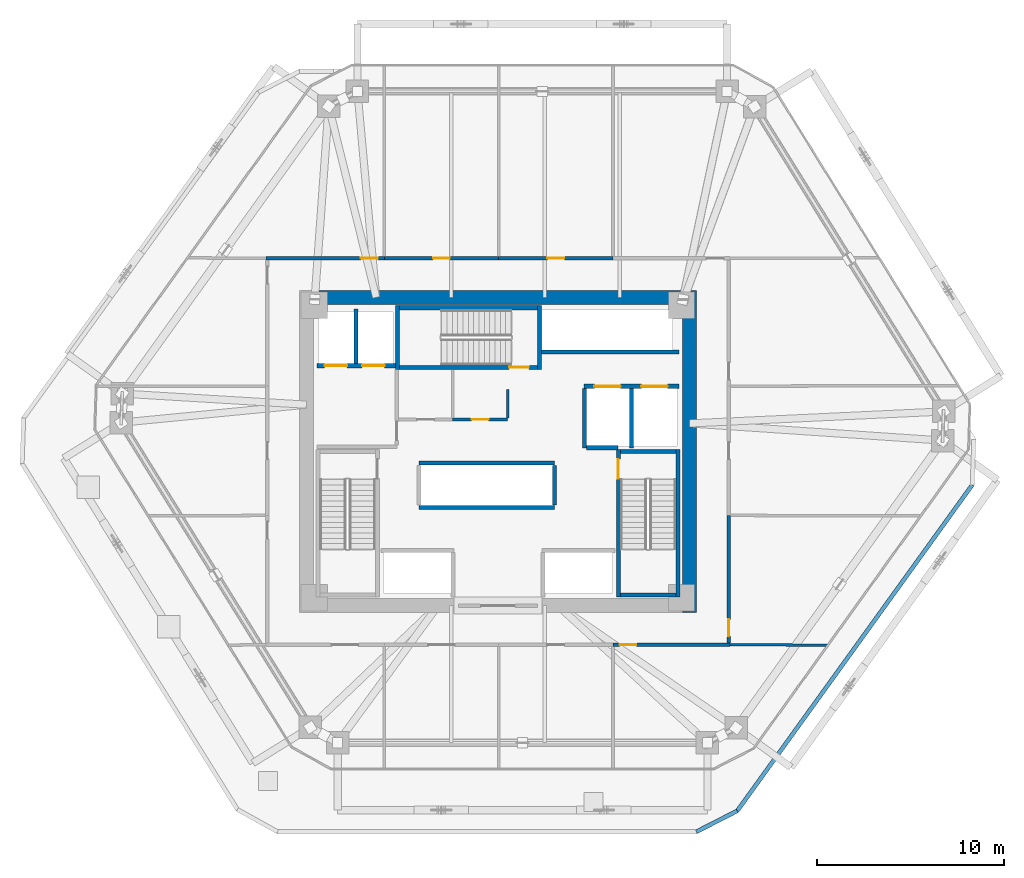
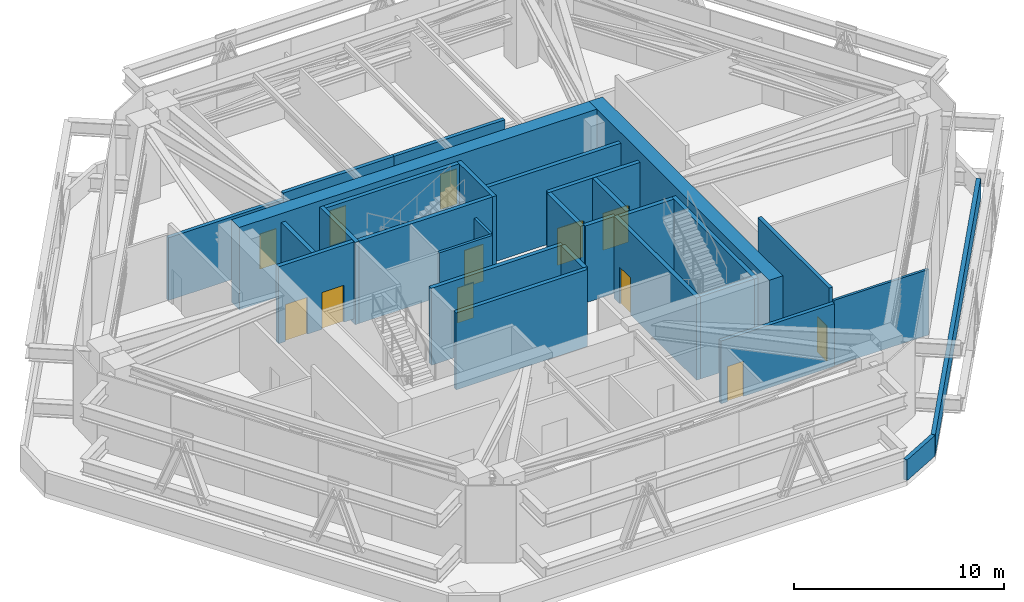
# One storey, part 8 of 10: 30 walls, 12 doors, 12 openings.
"""IFC4 building model written with IfcOpenShell, lengths in metres."""

from ifc_helpers import new_model, si_unit, direction, frame, frame_2d, origin, place, context, subcontext, project, spatial, rectangle, extrude, source, transform, mapped, material, layer, layer_set, type_object, type_shapes, element, fill, save


model = new_model("IFC4")

# Units and contexts
model_context = context("Model", 3, precision=1e-05, world=origin(), true_north=direction((0.0, 1.0)))
body_context = subcontext(model_context, "Body", "Model", "MODEL_VIEW")
ifc_project = project(units=[si_unit("LENGTHUNIT", "METRE"), si_unit("AREAUNIT", "SQUARE_METRE"), si_unit("VOLUMEUNIT", "CUBIC_METRE"), si_unit("PLANEANGLEUNIT", "RADIAN"), si_unit("MASSUNIT", "GRAM", prefix="KILO")], contexts=[model_context])

# Site, building, storey
site_placement = place(None, origin())
site = spatial("IfcSite", under=ifc_project, at=site_placement, CompositionType="ELEMENT")
building_placement = place(site_placement, origin())
building = spatial("IfcBuilding", under=site, at=building_placement, Name="Durnholm Broadcast Tower", CompositionType="ELEMENT")
storey_placement = place(building_placement, frame((0.0, 0.0, 88.5)))
storey = spatial("IfcBuildingStorey", under=building, at=storey_placement, Name="L23", CompositionType="ELEMENT", Elevation=88.5)

# Walls
ifc_material_1 = material(Name="Concrete C70/85", Category="concrete")
ifc_layer_1 = layer(ifc_material_1, 0.75)
ifc_layer_set_1 = layer_set([ifc_layer_1], Name="Concrete C70/85")
wall_type_1 = type_object("IfcWallType", Name="WALL-CW-750", PredefinedType="SHEAR", material=ifc_layer_set_1)
wall_1_placement = place(storey_placement, frame((10.22509765625, -8.60009765625, 0.0), z_axis=(0.0, 0.0, 1.0), x_axis=(0.0, 1.0, 0.0)))
element("IfcWall", 1, at=wall_1_placement, inside=storey, type_object=wall_type_1, Name="L23 central core shear wall CW-EAST", PredefinedType="SHEAR", context=body_context, shape_type="SweptSolid", body=[
    extrude(rectangle(XDim=17.2001953125, YDim=0.75, at=frame_2d((8.60009765625, 0.0))), origin(), (0.0, 0.0, 1.0), 4.800048828125),
])
wall_2_placement = place(storey_placement, frame((-9.85009765625, 8.22509765625, 0.0), z_axis=(0.0, 0.0, 1.0), x_axis=(1.0, 0.0, 0.0)))
element("IfcWall", 2, at=wall_2_placement, inside=storey, type_object=wall_type_1, Name="L23 central core shear wall CW-N", PredefinedType="SHEAR", context=body_context, shape_type="SweptSolid", body=[
    extrude(rectangle(XDim=19.7001953125, YDim=0.75, at=frame_2d((9.85009765625, 0.0))), origin(), (0.0, 0.0, 1.0), 4.800048828125),
])

# Wall, opening, door
ifc_material_2 = material(Name="Fire-Rated Gypsum Shaftwall", Category="concrete")
ifc_layer_2 = layer(ifc_material_2, 0.199951171875)
ifc_layer_set_2 = layer_set([ifc_layer_2], Name="Fire-Rated Gypsum Shaftwall")
wall_type_2 = type_object("IfcWallType", Name="WALL-LOB-200", PredefinedType="SOLIDWALL", material=ifc_layer_set_2)
wall_3_placement = place(storey_placement, frame((-6.06005859375, 10.31005859375, 0.0), z_axis=(0.0, 0.0, 1.0), x_axis=(-1.0, 0.0, 0.0)))
wall_3 = element("IfcWall", 3, at=wall_3_placement, inside=storey, type_object=wall_type_2, Name="L23 Mechanical Plant Room - Chilled Water Heat Exchanger corridor partition", PredefinedType="SOLIDWALL", context=body_context, shape_type="SweptSolid", body=[
    extrude(rectangle(XDim=6.329833984375, YDim=0.199951171875, at=frame_2d((3.1650390625, 0.0))), origin(), (0.0, 0.0, 1.0), 3.652099609375),
])
opening_1_placement = place(wall_3_placement, frame((0.35009765625, 0.0, 0.0)))
opening_1 = element("IfcOpeningElement", 4, at=opening_1_placement, cuts=wall_3, Name="Opening DC-60R", PredefinedType="OPENING", context=body_context, shape_type="SweptSolid", body=[
    extrude(rectangle(XDim=0.89990234375, YDim=2.050048828125, at=frame_2d((0.449951171875, 1.02490234375))), frame((0.0, 0.10986328125, 0.0), z_axis=(0.0, -1.0, 0.0), x_axis=(1.0, 0.0, 0.0)), (0.0, 0.0, 1.0), 0.219970703125),
])
ifc_material_3 = material(Name="Fire-Rated Core Service Door", Category="steel")
ifc_layer_3 = layer(ifc_material_3, 0.050048828125)
ifc_layer_set_3 = layer_set([ifc_layer_3], Name="Fire-Rated Core Service Door")
door_type_1 = type_object("IfcDoorType", Name="DOOR-CORE-FD60-R", OperationType="NOTDEFINED", PredefinedType="DOOR", material=ifc_layer_set_3)
shared_shape_1 = source(origin(), body_context, "Body", "SweptSolid", [
    extrude(rectangle(XDim=0.89990234375, YDim=2.050048828125, at=frame_2d((0.449951171875, 1.02490234375))), frame((0.0, 0.02490234375, 0.0), z_axis=(0.0, -1.0, 0.0), x_axis=(1.0, 0.0, 0.0)), (0.0, 0.0, 1.0), 0.050048828125),
])
type_shapes(door_type_1, [shared_shape_1])
door_1_placement = place(opening_1_placement, origin())
door_1 = element("IfcDoor", 5, at=door_1_placement, inside=storey, type_object=door_type_1, Name="L23 Mechanical Plant Room - Chilled Water Heat Exchanger entrance door", OperationType="SINGLE_SWING_RIGHT", OverallHeight=2.050048828125, OverallWidth=0.89990234375, PredefinedType="DOOR", context=body_context, shape_type="MappedRepresentation", body=[
    mapped(shared_shape_1, transform((0.0, 0.0, 0.0), x_axis=(1.0, 0.0, 0.0), y_axis=(0.0, 1.0, 0.0), z_axis=(0.0, 0.0, 1.0), scale=1.0)),
])
fill(opening_1, door_1)

wall_4_placement = place(storey_placement, frame((0.0400390625, 10.31005859375, 0.0), z_axis=(0.0, 0.0, 1.0), x_axis=(-1.0, 0.0, 0.0)))
wall_4 = element("IfcWall", 6, at=wall_4_placement, inside=storey, type_object=wall_type_2, Name="L23 Mechanical Plant Room - Dedicated Outdoor Air Handling corridor partition", PredefinedType="SOLIDWALL", context=body_context, shape_type="SweptSolid", body=[
    extrude(rectangle(XDim=6.10009765625, YDim=0.199951171875, at=frame_2d((3.050048828125, 0.0))), origin(), (0.0, 0.0, 1.0), 4.048095703125),
])
opening_2_placement = place(wall_4_placement, frame((2.60009765625, 0.0, 0.0)))
opening_2 = element("IfcOpeningElement", 7, at=opening_2_placement, cuts=wall_4, Name="Opening DC-60L", PredefinedType="OPENING", context=body_context, shape_type="SweptSolid", body=[
    extrude(rectangle(XDim=0.89990234375, YDim=2.050048828125, at=frame_2d((0.449951171875, 1.02490234375))), frame((0.0, 0.10986328125, 0.0), z_axis=(0.0, -1.0, 0.0), x_axis=(1.0, 0.0, 0.0)), (0.0, 0.0, 1.0), 0.219970703125),
])
ifc_layer_4 = layer(ifc_material_3, 0.050048828125)
ifc_layer_set_4 = layer_set([ifc_layer_4], Name="Fire-Rated Core Service Door")
door_type_2 = type_object("IfcDoorType", Name="DOOR-CORE-FD60-L", OperationType="NOTDEFINED", PredefinedType="DOOR", material=ifc_layer_set_4)
shared_shape_2 = source(origin(), body_context, "Body", "SweptSolid", [
    extrude(rectangle(XDim=0.89990234375, YDim=2.050048828125, at=frame_2d((0.449951171875, 1.02490234375))), frame((0.0, 0.02490234375, 0.0), z_axis=(0.0, -1.0, 0.0), x_axis=(1.0, 0.0, 0.0)), (0.0, 0.0, 1.0), 0.050048828125),
])
type_shapes(door_type_2, [shared_shape_2])
door_2_placement = place(opening_2_placement, origin())
door_2 = element("IfcDoor", 8, at=door_2_placement, inside=storey, type_object=door_type_2, Name="L23 Mechanical Plant Room - Dedicated Outdoor Air Handling entrance door", OperationType="SINGLE_SWING_LEFT", OverallHeight=2.050048828125, OverallWidth=0.89990234375, PredefinedType="DOOR", context=body_context, shape_type="MappedRepresentation", body=[
    mapped(shared_shape_2, transform((0.0, 0.0, 0.0), x_axis=(1.0, 0.0, 0.0), y_axis=(0.0, 1.0, 0.0), z_axis=(0.0, 0.0, 1.0), scale=1.0)),
])
fill(opening_2, door_2)

wall_5_placement = place(storey_placement, frame((6.139892578125, 10.31005859375, 0.0), z_axis=(0.0, 0.0, 1.0), x_axis=(-1.0, 0.0, 0.0)))
wall_5 = element("IfcWall", 9, at=wall_5_placement, inside=storey, type_object=wall_type_2, Name="L23 Mechanical Plant Room - Condenser Water Pump Station corridor partition", PredefinedType="SOLIDWALL", context=body_context, shape_type="SweptSolid", body=[
    extrude(rectangle(XDim=6.099853515625, YDim=0.199951171875, at=frame_2d((3.0498046875, 0.0))), origin(), (0.0, 0.0, 1.0), 4.048095703125),
])
opening_3_placement = place(wall_5_placement, frame((2.60009765625, 0.0, 0.0)))
opening_3 = element("IfcOpeningElement", 10, at=opening_3_placement, cuts=wall_5, Name="Opening DC-60R", PredefinedType="OPENING", context=body_context, shape_type="SweptSolid", body=[
    extrude(rectangle(XDim=0.89990234375, YDim=2.050048828125, at=frame_2d((0.449951171875, 1.02490234375))), frame((0.0, 0.10986328125, 0.0), z_axis=(0.0, -1.0, 0.0), x_axis=(1.0, 0.0, 0.0)), (0.0, 0.0, 1.0), 0.219970703125),
])
door_3_placement = place(opening_3_placement, origin())
door_3 = element("IfcDoor", 11, at=door_3_placement, inside=storey, type_object=door_type_1, Name="L23 Mechanical Plant Room - Condenser Water Pump Station entrance door", OperationType="SINGLE_SWING_RIGHT", OverallHeight=2.050048828125, OverallWidth=0.89990234375, PredefinedType="DOOR", context=body_context, shape_type="MappedRepresentation", body=[
    mapped(shared_shape_1, transform((0.0, 0.0, 0.0), x_axis=(1.0, 0.0, 0.0), y_axis=(0.0, 1.0, 0.0), z_axis=(0.0, 0.0, 1.0), scale=1.0)),
])
fill(opening_3, door_3)

wall_6_placement = place(storey_placement, frame((6.139892578125, -10.31005859375, 0.0), z_axis=(0.0, 0.0, 1.0), x_axis=(1.0, 0.0, 0.0)))
wall_6 = element("IfcWall", 12, at=wall_6_placement, inside=storey, type_object=wall_type_2, Name="L23 Mechanical Plant Room - Fire Protection Pump Plant corridor partition", PredefinedType="SOLIDWALL", context=body_context, shape_type="SweptSolid", body=[
    extrude(rectangle(XDim=6.25, YDim=0.199951171875, at=frame_2d((3.125, 0.0))), origin(), (0.0, 0.0, 1.0), 3.652099609375),
])
opening_4_placement = place(wall_6_placement, frame((0.35009765625, 0.0, 0.0)))
opening_4 = element("IfcOpeningElement", 13, at=opening_4_placement, cuts=wall_6, Name="Opening DC-60L", PredefinedType="OPENING", context=body_context, shape_type="SweptSolid", body=[
    extrude(rectangle(XDim=0.89990234375, YDim=2.050048828125, at=frame_2d((0.449951171875, 1.02490234375))), frame((0.0, 0.10986328125, 0.0), z_axis=(0.0, -1.0, 0.0), x_axis=(1.0, 0.0, 0.0)), (0.0, 0.0, 1.0), 0.219970703125),
])
door_4_placement = place(opening_4_placement, origin())
door_4 = element("IfcDoor", 14, at=door_4_placement, inside=storey, type_object=door_type_2, Name="L23 Mechanical Plant Room - Fire Protection Pump Plant entrance door", OperationType="SINGLE_SWING_LEFT", OverallHeight=2.050048828125, OverallWidth=0.89990234375, PredefinedType="DOOR", context=body_context, shape_type="MappedRepresentation", body=[
    mapped(shared_shape_2, transform((0.0, 0.0, 0.0), x_axis=(1.0, 0.0, 0.0), y_axis=(0.0, 1.0, 0.0), z_axis=(0.0, 0.0, 1.0), scale=1.0)),
])
fill(opening_4, door_4)

wall_7_placement = place(storey_placement, frame((12.31005859375, -10.2060546875, 0.0), z_axis=(0.0, 0.0, 1.0), x_axis=(0.0, 1.0, 0.0)))
wall_7 = element("IfcWall", 15, at=wall_7_placement, inside=storey, type_object=wall_type_2, Name="L23 Mechanical Plant Room - Electrical Switchgear East corridor partition", PredefinedType="SOLIDWALL", context=body_context, shape_type="SweptSolid", body=[
    extrude(rectangle(XDim=6.796142578125, YDim=0.199951171875, at=frame_2d((3.39794921875, 0.0))), origin(), (0.0, 0.0, 1.0), 4.485107421875),
])
opening_5_placement = place(wall_7_placement, frame((0.35009765625, 0.0, 0.0)))
opening_5 = element("IfcOpeningElement", 16, at=opening_5_placement, cuts=wall_7, Name="Opening DC-60R", PredefinedType="OPENING", context=body_context, shape_type="SweptSolid", body=[
    extrude(rectangle(XDim=0.89990234375, YDim=2.050048828125, at=frame_2d((0.449951171875, 1.02490234375))), frame((0.0, 0.10986328125, 0.0), z_axis=(0.0, -1.0, 0.0), x_axis=(1.0, 0.0, 0.0)), (0.0, 0.0, 1.0), 0.219970703125),
])
door_5_placement = place(opening_5_placement, origin())
door_5 = element("IfcDoor", 17, at=door_5_placement, inside=storey, type_object=door_type_1, Name="L23 Mechanical Plant Room - Electrical Switchgear East entrance door", OperationType="SINGLE_SWING_RIGHT", OverallHeight=2.050048828125, OverallWidth=0.89990234375, PredefinedType="DOOR", context=body_context, shape_type="MappedRepresentation", body=[
    mapped(shared_shape_1, transform((0.0, 0.0, 0.0), x_axis=(1.0, 0.0, 0.0), y_axis=(0.0, 1.0, 0.0), z_axis=(0.0, 0.0, 1.0), scale=1.0)),
])
fill(opening_5, door_5)

# Walls
ifc_material_4 = material(Name="Precast Concrete C40/50", Category="concrete")
ifc_layer_5 = layer(ifc_material_4, 0.219970703125)
ifc_layer_set_5 = layer_set([ifc_layer_5], Name="Precast Concrete C40/50")
wall_type_3 = type_object("IfcWallType", Name="WALL-PAR-220", PredefinedType="PARAPET", material=ifc_layer_set_5)
wall_8_placement = place(storey_placement, frame((25.31103515625, -1.783203125, 0.0), z_axis=(0.0, 0.0, 1.0), x_axis=(-0.584819348165, -0.81116356551, 0.0)))
element("IfcWall", 18, at=wall_8_placement, inside=storey, type_object=wall_type_3, Name="L23 setback roof perimeter parapet 02", PredefinedType="PARAPET", context=body_context, shape_type="SweptSolid", body=[
    extrude(rectangle(XDim=21.44091796875, YDim=0.219970703125, at=frame_2d((10.720458984375, 0.0))), origin(), (0.0, 0.0, 1.0), 1.199951171875),
])
wall_9_placement = place(storey_placement, frame((12.77197265625, -19.17529296875, 0.0), z_axis=(0.0, 0.0, 1.0), x_axis=(-0.890197350178, -0.455575106581, 0.0)))
element("IfcWall", 19, at=wall_9_placement, inside=storey, type_object=wall_type_3, Name="L23 setback roof perimeter parapet 03", PredefinedType="PARAPET", context=body_context, shape_type="SweptSolid", body=[
    extrude(rectangle(XDim=2.44677734375, YDim=0.219970703125, at=frame_2d((1.223388671875, 0.0))), origin(), (0.0, 0.0, 1.0), 1.199951171875),
])
ifc_material_5 = material(Name="Gypsum Metal Stud Partition", Category="concrete")
ifc_layer_6 = layer(ifc_material_5, 0.135009765625)
ifc_layer_set_6 = layer_set([ifc_layer_6], Name="Gypsum Metal Stud Partition")
wall_type_4 = type_object("IfcWallType", Name="WALL-PART-135", PredefinedType="PARTITIONING", material=ifc_layer_set_6)
wall_10_placement = place(storey_placement, frame((12.389892578125, -10.310302734375, 0.0), z_axis=(0.0, 0.0, 1.0), x_axis=(0.999990324999, -0.004398853037, 0.0)))
element("IfcWall", 20, at=wall_10_placement, inside=storey, type_object=wall_type_4, Name="L23 room dividing partition 10.11", PredefinedType="PARTITIONING", context=body_context, shape_type="SweptSolid", body=[
    extrude(rectangle(XDim=5.217041015625, YDim=0.135009765625, at=frame_2d((2.6083984375, 0.0))), origin(), (0.0, 0.0, 1.0), 3.820068359375),
])

# Wall, opening, door
ifc_material_6 = material(Name="Acoustic Gypsum Stud Partition", Category="concrete")
ifc_layer_7 = layer(ifc_material_6, 0.14990234375)
ifc_layer_set_7 = layer_set([ifc_layer_7], Name="Acoustic Gypsum Stud Partition")
wall_type_5 = type_object("IfcWallType", Name="WALL-PART-150", PredefinedType="PARTITIONING", material=ifc_layer_set_7)
wall_11_placement = place(storey_placement, frame((0.52001953125, 1.7099609375, 0.0), z_axis=(0.0, 0.0, 1.0), x_axis=(-1.0, 0.0, 0.0)))
wall_11 = element("IfcWall", 21, at=wall_11_placement, inside=storey, type_object=wall_type_5, Name="L23 Core Mail and Supply Room corridor partition", PredefinedType="PARTITIONING", context=body_context, shape_type="SweptSolid", body=[
    extrude(rectangle(XDim=2.93994140625, YDim=0.14990234375, at=frame_2d((1.469970703125, 0.0))), origin(), (0.0, 0.0, 1.0), 4.485107421875),
])
opening_6_placement = place(wall_11_placement, frame((1.02001953125, 0.0, 0.0)))
opening_6 = element("IfcOpeningElement", 22, at=opening_6_placement, cuts=wall_11, Name="Opening DC-60L", PredefinedType="OPENING", context=body_context, shape_type="SweptSolid", body=[
    extrude(rectangle(XDim=0.89990234375, YDim=2.050048828125, at=frame_2d((0.449951171875, 1.02490234375))), frame((0.0, 0.0849609375, 0.0), z_axis=(0.0, -1.0, 0.0), x_axis=(1.0, 0.0, 0.0)), (0.0, 0.0, 1.0), 0.169921875),
])
door_6_placement = place(opening_6_placement, origin())
door_6 = element("IfcDoor", 23, at=door_6_placement, inside=storey, type_object=door_type_2, Name="L23 Core Mail and Supply Room entrance door", OperationType="SINGLE_SWING_LEFT", OverallHeight=2.050048828125, OverallWidth=0.89990234375, PredefinedType="DOOR", context=body_context, shape_type="MappedRepresentation", body=[
    mapped(shared_shape_2, transform((0.0, 0.0, 0.0), x_axis=(1.0, 0.0, 0.0), y_axis=(0.0, 1.0, 0.0), z_axis=(0.0, 0.0, 1.0), scale=1.0)),
])
fill(opening_6, door_6)

# Wall
wall_12_placement = place(storey_placement, frame((0.52001953125, 3.300048828125, 0.0), z_axis=(0.0, 0.0, 1.0), x_axis=(0.0, -1.0, 0.0)))
element("IfcWall", 24, at=wall_12_placement, inside=storey, type_object=wall_type_5, Name="L23 Core Mail and Supply Room corridor partition", PredefinedType="PARTITIONING", context=body_context, shape_type="SweptSolid", body=[
    extrude(rectangle(XDim=1.510986328125, YDim=0.14990234375, at=frame_2d((0.75537109375, 0.0))), origin(), (0.0, 0.0, 1.0), 4.485107421875),
])

# Wall, openings, doors
ifc_material_7 = material(Name="Concrete Blockwork C30/37", Category="masonry")
ifc_layer_8 = layer(ifc_material_7, 0.219970703125)
ifc_layer_set_8 = layer_set([ifc_layer_8], Name="Concrete Blockwork C30/37")
wall_type_6 = type_object("IfcWallType", Name="WALL-SHAFT-220", PredefinedType="SOLIDWALL", material=ifc_layer_set_8)
wall_13_placement = place(storey_placement, frame((-9.64990234375, 4.580078125, 0.0), z_axis=(0.0, 0.0, 1.0), x_axis=(1.0, 0.0, 0.0)))
wall_13 = element("IfcWall", 25, at=wall_13_placement, inside=storey, type_object=wall_type_6, Name="L23 FSAE hoistway front fire wall", PredefinedType="SOLIDWALL", context=body_context, shape_type="SweptSolid", body=[
    extrude(rectangle(XDim=4.1748046875, YDim=0.219970703125, at=frame_2d((2.08740234375, 0.0))), origin(), (0.0, 0.0, 1.0), 4.485107421875),
])
opening_7_placement = place(wall_13_placement, frame((0.39990234375, 0.0, 0.0)))
opening_7 = element("IfcOpeningElement", 26, at=opening_7_placement, cuts=wall_13, Name="Opening LD-FSAE-2", PredefinedType="OPENING", context=body_context, shape_type="SweptSolid", body=[
    extrude(rectangle(XDim=1.199951171875, YDim=2.14990234375, at=frame_2d((0.60009765625, 1.074951171875))), frame((0.0, 0.1201171875, 0.0), z_axis=(0.0, -1.0, 0.0), x_axis=(1.0, 0.0, 0.0)), (0.0, 0.0, 1.0), 0.239990234375),
])
opening_8_placement = place(wall_13_placement, frame((2.39990234375, 0.0, 0.0)))
opening_8 = element("IfcOpeningElement", 27, at=opening_8_placement, cuts=wall_13, Name="Opening LD-FSAE-1", PredefinedType="OPENING", context=body_context, shape_type="SweptSolid", body=[
    extrude(rectangle(XDim=1.199951171875, YDim=2.14990234375, at=frame_2d((0.60009765625, 1.074951171875))), frame((0.0, 0.1201171875, 0.0), z_axis=(0.0, -1.0, 0.0), x_axis=(1.0, 0.0, 0.0)), (0.0, 0.0, 1.0), 0.239990234375),
])
ifc_material_8 = material(Name="Fire Service Access Sliding Landing Door", Category="steel")
ifc_layer_9 = layer(ifc_material_8, 0.050048828125)
ifc_layer_set_9 = layer_set([ifc_layer_9], Name="Fire Service Access Sliding Landing Door")
door_type_3 = type_object("IfcDoorType", Name="DOOR-LIFT-FSAE", OperationType="DOUBLE_DOOR_SLIDING", PredefinedType="DOOR", material=ifc_layer_set_9)
shared_shape_3 = source(origin(), body_context, "Body", "SweptSolid", [
    extrude(rectangle(XDim=1.199951171875, YDim=2.14990234375, at=frame_2d((0.60009765625, 1.074951171875))), frame((0.0, 0.02490234375, 0.0), z_axis=(0.0, -1.0, 0.0), x_axis=(1.0, 0.0, 0.0)), (0.0, 0.0, 1.0), 0.050048828125),
])
type_shapes(door_type_3, [shared_shape_3])
door_7_placement = place(opening_7_placement, origin())
door_7 = element("IfcDoor", 28, at=door_7_placement, inside=storey, type_object=door_type_3, Name="L23 Fire Service Access Elevator FSAE-2 sliding landing door", OperationType="DOUBLE_DOOR_SLIDING", OverallHeight=2.14990234375, OverallWidth=1.199951171875, PredefinedType="DOOR", context=body_context, shape_type="MappedRepresentation", body=[
    mapped(shared_shape_3, transform((0.0, 0.0, 0.0), x_axis=(1.0, 0.0, 0.0), y_axis=(0.0, 1.0, 0.0), z_axis=(0.0, 0.0, 1.0), scale=1.0)),
])
fill(opening_7, door_7)
door_8_placement = place(opening_8_placement, origin())
door_8 = element("IfcDoor", 29, at=door_8_placement, inside=storey, type_object=door_type_3, Name="L23 Fire Service Access Elevator FSAE-1 sliding landing door", OperationType="DOUBLE_DOOR_SLIDING", OverallHeight=2.14990234375, OverallWidth=1.199951171875, PredefinedType="DOOR", context=body_context, shape_type="MappedRepresentation", body=[
    mapped(shared_shape_3, transform((0.0, 0.0, 0.0), x_axis=(1.0, 0.0, 0.0), y_axis=(0.0, 1.0, 0.0), z_axis=(0.0, 0.0, 1.0), scale=1.0)),
])
fill(opening_8, door_8)

# Wall
wall_14_placement = place(storey_placement, frame((-7.580078125, 4.694091796875, 0.0), z_axis=(0.0, 0.0, 1.0), x_axis=(0.0, 1.0, 0.0)))
element("IfcWall", 30, at=wall_14_placement, inside=storey, type_object=wall_type_6, Name="L23 FSAE shaft divider wall", PredefinedType="SOLIDWALL", context=body_context, shape_type="SweptSolid", body=[
    extrude(rectangle(XDim=2.906005859375, YDim=0.219970703125, at=frame_2d((1.453125, 0.0))), origin(), (0.0, 0.0, 1.0), 4.485107421875),
])

# Wall, openings, doors
wall_15_placement = place(storey_placement, frame((4.60009765625, 3.47998046875, 0.0), z_axis=(0.0, 0.0, 1.0), x_axis=(1.0, 0.0, 0.0)))
wall_15 = element("IfcWall", 31, at=wall_15_placement, inside=storey, type_object=wall_type_6, Name="L23 freight service lifts north front wall", PredefinedType="SOLIDWALL", context=body_context, shape_type="SweptSolid", body=[
    extrude(rectangle(XDim=5.0498046875, YDim=0.219970703125, at=frame_2d((2.52490234375, 0.0))), origin(), (0.0, 0.0, 1.0), 4.485107421875),
])
opening_9_placement = place(wall_15_placement, frame((0.550048828125, 0.0, 0.0)))
opening_9 = element("IfcOpeningElement", 32, at=opening_9_placement, cuts=wall_15, Name="Opening LD-SVL-2", PredefinedType="OPENING", context=body_context, shape_type="SweptSolid", body=[
    extrude(rectangle(XDim=1.39990234375, YDim=2.14990234375, at=frame_2d((0.699951171875, 1.074951171875))), frame((0.0, 0.1201171875, 0.0), z_axis=(0.0, -1.0, 0.0), x_axis=(1.0, 0.0, 0.0)), (0.0, 0.0, 1.0), 0.239990234375),
])
opening_10_placement = place(wall_15_placement, frame((3.050048828125, 0.0, 0.0)))
opening_10 = element("IfcOpeningElement", 33, at=opening_10_placement, cuts=wall_15, Name="Opening LD-SVL-1", PredefinedType="OPENING", context=body_context, shape_type="SweptSolid", body=[
    extrude(rectangle(XDim=1.39990234375, YDim=2.14990234375, at=frame_2d((0.699951171875, 1.074951171875))), frame((0.0, 0.1201171875, 0.0), z_axis=(0.0, -1.0, 0.0), x_axis=(1.0, 0.0, 0.0)), (0.0, 0.0, 1.0), 0.239990234375),
])
ifc_material_9 = material(Name="Freight Elevator Bi-Parting Sliding Landing Door", Category="steel")
ifc_layer_10 = layer(ifc_material_9, 0.050048828125)
ifc_layer_set_10 = layer_set([ifc_layer_10], Name="Freight Elevator Bi-Parting Sliding Landing Door")
door_type_4 = type_object("IfcDoorType", Name="DOOR-LIFT-SVL", OperationType="DOUBLE_DOOR_SLIDING", PredefinedType="DOOR", material=ifc_layer_set_10)
shared_shape_4 = source(origin(), body_context, "Body", "SweptSolid", [
    extrude(rectangle(XDim=1.39990234375, YDim=2.14990234375, at=frame_2d((0.699951171875, 1.074951171875))), frame((0.0, 0.02490234375, 0.0), z_axis=(0.0, -1.0, 0.0), x_axis=(1.0, 0.0, 0.0)), (0.0, 0.0, 1.0), 0.050048828125),
])
type_shapes(door_type_4, [shared_shape_4])
door_9_placement = place(opening_9_placement, origin())
door_9 = element("IfcDoor", 34, at=door_9_placement, inside=storey, type_object=door_type_4, Name="L23 freight service elevator SVL-2 sliding landing door", OperationType="DOUBLE_DOOR_SLIDING", OverallHeight=2.14990234375, OverallWidth=1.39990234375, PredefinedType="DOOR", context=body_context, shape_type="MappedRepresentation", body=[
    mapped(shared_shape_4, transform((0.0, 0.0, 0.0), x_axis=(1.0, 0.0, 0.0), y_axis=(0.0, 1.0, 0.0), z_axis=(0.0, 0.0, 1.0), scale=1.0)),
])
fill(opening_9, door_9)
door_10_placement = place(opening_10_placement, origin())
door_10 = element("IfcDoor", 35, at=door_10_placement, inside=storey, type_object=door_type_4, Name="L23 freight service elevator SVL-1 sliding landing door", OperationType="DOUBLE_DOOR_SLIDING", OverallHeight=2.14990234375, OverallWidth=1.39990234375, PredefinedType="DOOR", context=body_context, shape_type="MappedRepresentation", body=[
    mapped(shared_shape_4, transform((0.0, 0.0, 0.0), x_axis=(1.0, 0.0, 0.0), y_axis=(0.0, 1.0, 0.0), z_axis=(0.0, 0.0, 1.0), scale=1.0)),
])
fill(opening_10, door_10)

# Walls
for number, where, z_axis, x_axis, name in (
    (36, (4.6201171875, 0.179931640625, 0.0), (0.0, 0.0, 1.0), (0.0, 1.0, 0.0), "L23 freight service lift SVL-2 west wall"),
    (37, (7.1201171875, 0.179931640625, 0.0), (0.0, 0.0, 1.0), (0.0, 1.0, 0.0), "L23 freight service lifts divider wall"),
):
    element("IfcWall", number, at=place(storey_placement, frame(where, z_axis=z_axis, x_axis=x_axis)), inside=storey, type_object=wall_type_6, Name=name, PredefinedType="SOLIDWALL", context=body_context, shape_type="SweptSolid", body=[
        extrude(rectangle(XDim=3.18603515625, YDim=0.219970703125, at=frame_2d((1.593017578125, 0.0))), origin(), (0.0, 0.0, 1.0), 4.485107421875),
    ])
wall_16_placement = place(storey_placement, frame((4.73388671875, 0.199951171875, 0.0), z_axis=(0.0, 0.0, 1.0), x_axis=(1.0, 0.0, 0.0)))
element("IfcWall", 38, at=wall_16_placement, inside=storey, type_object=wall_type_6, Name="L23 freight service lift SVL-2 south wall", PredefinedType="SOLIDWALL", context=body_context, shape_type="SweptSolid", body=[
    extrude(rectangle(XDim=1.666015625, YDim=0.219970703125, at=frame_2d((0.8330078125, 0.0))), origin(), (0.0, 0.0, 1.0), 4.485107421875),
])
for number, where, z_axis, x_axis, name in (
    (39, (-4.219970703125, -2.97998046875, 0.0), (0.0, 0.0, 1.0), (1.0, 0.0, 0.0), "L23 mid-rise bank P2 south front wall"),
    (40, (-4.219970703125, -0.6201171875, 0.0), (0.0, 0.0, 1.0), (1.0, 0.0, 0.0), "L23 mid-rise bank P2 north shaft wall"),
):
    element("IfcWall", number, at=place(storey_placement, frame(where, z_axis=z_axis, x_axis=x_axis)), inside=storey, type_object=wall_type_6, Name=name, PredefinedType="SOLIDWALL", context=body_context, shape_type="SweptSolid", body=[
        extrude(rectangle(XDim=7.239990234375, YDim=0.219970703125, at=frame_2d((3.6201171875, 0.0))), origin(), (0.0, 0.0, 1.0), 4.485107421875),
    ])
wall_17_placement = place(storey_placement, frame((3.02001953125, -2.865966796875, 0.0), z_axis=(0.0, 0.0, 1.0), x_axis=(0.0, 1.0, 0.0)))
element("IfcWall", 41, at=wall_17_placement, inside=storey, type_object=wall_type_6, Name="L23 mid-rise bank P2 east shaft wall", PredefinedType="SOLIDWALL", context=body_context, shape_type="SweptSolid", body=[
    extrude(rectangle(XDim=2.132080078125, YDim=0.219970703125, at=frame_2d((1.06591796875, 0.0))), origin(), (0.0, 0.0, 1.0), 4.485107421875),
])
wall_18_placement = place(storey_placement, frame((2.324951171875, 5.320068359375, 0.0), z_axis=(0.0, 0.0, 1.0), x_axis=(1.0, 0.0, 0.0)))
element("IfcWall", 42, at=wall_18_placement, inside=storey, type_object=wall_type_6, Name="L23 high-rise bank P3 south front wall", PredefinedType="SOLIDWALL", context=body_context, shape_type="SweptSolid", body=[
    extrude(rectangle(XDim=7.324951171875, YDim=0.219970703125, at=frame_2d((3.66259765625, 0.0))), origin(), (0.0, 0.0, 1.0), 4.485107421875),
])
ifc_material_10 = material(Name="Concrete C50/60", Category="concrete")
ifc_layer_11 = layer(ifc_material_10, 0.219970703125)
ifc_layer_set_11 = layer_set([ifc_layer_11], Name="Concrete C50/60")
wall_type_7 = type_object("IfcWallType", Name="WALL-SW-220", PredefinedType="SHEAR", material=ifc_layer_set_11)
wall_19_placement = place(storey_placement, frame((9.610107421875, -7.77001953125, -0.300048828125), z_axis=(0.0, 0.0, 1.0), x_axis=(0.0, 1.0, 0.0)))
element("IfcWall", 43, at=wall_19_placement, inside=storey, type_object=wall_type_7, Name="L23 stair ST-2 structural shaft wall E", PredefinedType="SHEAR", context=body_context, shape_type="SweptSolid", body=[
    extrude(rectangle(XDim=7.89013671875, YDim=0.219970703125, at=frame_2d((3.945068359375, 0.0))), origin(), (0.0, 0.0, 1.0), 4.800048828125),
])

# Wall, opening, door
wall_20_placement = place(storey_placement, frame((6.429931640625, 0.1201171875, -0.300048828125), z_axis=(0.0, 0.0, 1.0), x_axis=(0.0, -1.0, 0.0)))
wall_20 = element("IfcWall", 44, at=wall_20_placement, inside=storey, type_object=wall_type_7, Name="L23 stair ST-2 structural shaft wall W", PredefinedType="SHEAR", context=body_context, shape_type="SweptSolid", body=[
    extrude(rectangle(XDim=7.89013671875, YDim=0.219970703125, at=frame_2d((3.945068359375, 0.0))), origin(), (0.0, 0.0, 1.0), 4.800048828125),
])
opening_11_placement = place(wall_20_placement, frame((0.52001953125, 0.0, 0.0)))
opening_11 = element("IfcOpeningElement", 45, at=opening_11_placement, cuts=wall_20, Name="Opening DS-90R", PredefinedType="OPENING", context=body_context, shape_type="SweptSolid", body=[
    extrude(rectangle(XDim=1.050048828125, YDim=2.14990234375, at=frame_2d((0.52490234375, 1.074951171875))), frame((0.0, 0.1201171875, 0.0), z_axis=(0.0, -1.0, 0.0), x_axis=(1.0, 0.0, 0.0)), (0.0, 0.0, 1.0), 0.239990234375),
])
ifc_material_11 = material(Name="Fire-Rated Steel Door", Category="steel")
ifc_layer_12 = layer(ifc_material_11, 0.050048828125)
ifc_layer_set_12 = layer_set([ifc_layer_12], Name="Fire-Rated Steel Door")
door_type_5 = type_object("IfcDoorType", Name="DOOR-ST-FD90-R", OperationType="NOTDEFINED", PredefinedType="DOOR", material=ifc_layer_set_12)
shared_shape_5 = source(origin(), body_context, "Body", "SweptSolid", [
    extrude(rectangle(XDim=1.050048828125, YDim=2.14990234375, at=frame_2d((0.52490234375, 1.074951171875))), frame((0.0, 0.02490234375, 0.0), z_axis=(0.0, -1.0, 0.0), x_axis=(1.0, 0.0, 0.0)), (0.0, 0.0, 1.0), 0.050048828125),
])
type_shapes(door_type_5, [shared_shape_5])
door_11_placement = place(opening_11_placement, origin())
door_11 = element("IfcDoor", 46, at=door_11_placement, inside=storey, type_object=door_type_5, Name="L23 exit stair ST-2 fire door", OperationType="SINGLE_SWING_RIGHT", OverallHeight=2.14990234375, OverallWidth=1.050048828125, PredefinedType="DOOR", context=body_context, shape_type="MappedRepresentation", body=[
    mapped(shared_shape_5, transform((0.0, 0.0, 0.0), x_axis=(1.0, 0.0, 0.0), y_axis=(0.0, 1.0, 0.0), z_axis=(0.0, 0.0, 1.0), scale=1.0)),
])
fill(opening_11, door_11)

# Walls
for number, where, z_axis, x_axis, name in (
    (47, (6.5400390625, -7.659912109375, -0.300048828125), (0.0, 0.0, 1.0), (1.0, 0.0, 0.0), "L23 stair ST-2 structural shaft wall S"),
    (48, (9.5, 0.010009765625, -0.300048828125), (0.0, 0.0, 1.0), (-1.0, 0.0, 0.0), "L23 stair ST-2 structural shaft wall N"),
):
    element("IfcWall", number, at=place(storey_placement, frame(where, z_axis=z_axis, x_axis=x_axis)), inside=storey, type_object=wall_type_7, Name=name, PredefinedType="SHEAR", context=body_context, shape_type="SweptSolid", body=[
        extrude(rectangle(XDim=2.9599609375, YDim=0.219970703125, at=frame_2d((1.47998046875, 0.0))), origin(), (0.0, 0.0, 1.0), 4.800048828125),
    ])
for number, where, z_axis, x_axis, name in (
    (49, (2.2099609375, 4.3798828125, -0.300048828125), (0.0, 0.0, 1.0), (0.0, 1.0, 0.0), "L23 stair ST-3 structural shaft wall E"),
    (50, (-5.360107421875, 7.780029296875, -0.300048828125), (0.0, 0.0, 1.0), (0.0, -1.0, 0.0), "L23 stair ST-3 structural shaft wall W"),
):
    element("IfcWall", number, at=place(storey_placement, frame(where, z_axis=z_axis, x_axis=x_axis)), inside=storey, type_object=wall_type_7, Name=name, PredefinedType="SHEAR", context=body_context, shape_type="SweptSolid", body=[
        extrude(rectangle(XDim=3.400146484375, YDim=0.219970703125, at=frame_2d((1.7001953125, 0.0))), origin(), (0.0, 0.0, 1.0), 4.800048828125),
    ])

# Wall, opening, door
wall_21_placement = place(storey_placement, frame((-5.25, 4.489990234375, -0.300048828125), z_axis=(0.0, 0.0, 1.0), x_axis=(1.0, 0.0, 0.0)))
wall_21 = element("IfcWall", 51, at=wall_21_placement, inside=storey, type_object=wall_type_7, Name="L23 stair ST-3 structural shaft wall S", PredefinedType="SHEAR", context=body_context, shape_type="SweptSolid", body=[
    extrude(rectangle(XDim=7.35009765625, YDim=0.219970703125, at=frame_2d((3.675048828125, 0.0))), origin(), (0.0, 0.0, 1.0), 4.800048828125),
])
opening_12_placement = place(wall_21_placement, frame((5.85009765625, 0.0, 0.0)))
opening_12 = element("IfcOpeningElement", 52, at=opening_12_placement, cuts=wall_21, Name="Opening DS-90L", PredefinedType="OPENING", context=body_context, shape_type="SweptSolid", body=[
    extrude(rectangle(XDim=1.050048828125, YDim=2.14990234375, at=frame_2d((0.52490234375, 1.074951171875))), frame((0.0, 0.1201171875, 0.0), z_axis=(0.0, -1.0, 0.0), x_axis=(1.0, 0.0, 0.0)), (0.0, 0.0, 1.0), 0.239990234375),
])
ifc_layer_13 = layer(ifc_material_11, 0.050048828125)
ifc_layer_set_13 = layer_set([ifc_layer_13], Name="Fire-Rated Steel Door")
door_type_6 = type_object("IfcDoorType", Name="DOOR-ST-FD90-L", OperationType="NOTDEFINED", PredefinedType="DOOR", material=ifc_layer_set_13)
shared_shape_6 = source(origin(), body_context, "Body", "SweptSolid", [
    extrude(rectangle(XDim=1.050048828125, YDim=2.14990234375, at=frame_2d((0.52490234375, 1.074951171875))), frame((0.0, 0.02490234375, 0.0), z_axis=(0.0, -1.0, 0.0), x_axis=(1.0, 0.0, 0.0)), (0.0, 0.0, 1.0), 0.050048828125),
])
type_shapes(door_type_6, [shared_shape_6])
door_12_placement = place(opening_12_placement, origin())
door_12 = element("IfcDoor", 53, at=door_12_placement, inside=storey, type_object=door_type_6, Name="L23 exit stair ST-3 fire door", OperationType="SINGLE_SWING_LEFT", OverallHeight=2.14990234375, OverallWidth=1.050048828125, PredefinedType="DOOR", context=body_context, shape_type="MappedRepresentation", body=[
    mapped(shared_shape_6, transform((0.0, 0.0, 0.0), x_axis=(1.0, 0.0, 0.0), y_axis=(0.0, 1.0, 0.0), z_axis=(0.0, 0.0, 1.0), scale=1.0)),
])
fill(opening_12, door_12)

# Wall
wall_22_placement = place(storey_placement, frame((2.10009765625, 7.669921875, -0.300048828125), z_axis=(0.0, 0.0, 1.0), x_axis=(-1.0, 0.0, 0.0)))
element("IfcWall", 54, at=wall_22_placement, inside=storey, type_object=wall_type_7, Name="L23 stair ST-3 structural shaft wall N", PredefinedType="SHEAR", context=body_context, shape_type="SweptSolid", body=[
    extrude(rectangle(XDim=7.35009765625, YDim=0.219970703125, at=frame_2d((3.675048828125, 0.0))), origin(), (0.0, 0.0, 1.0), 4.800048828125),
])

save(model, "model.ifc")
